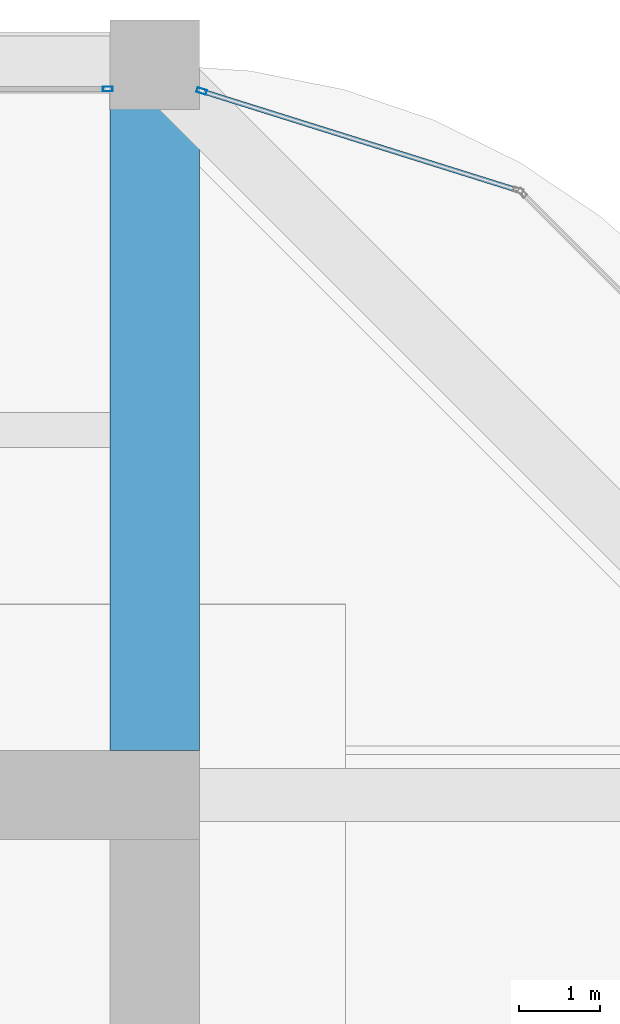
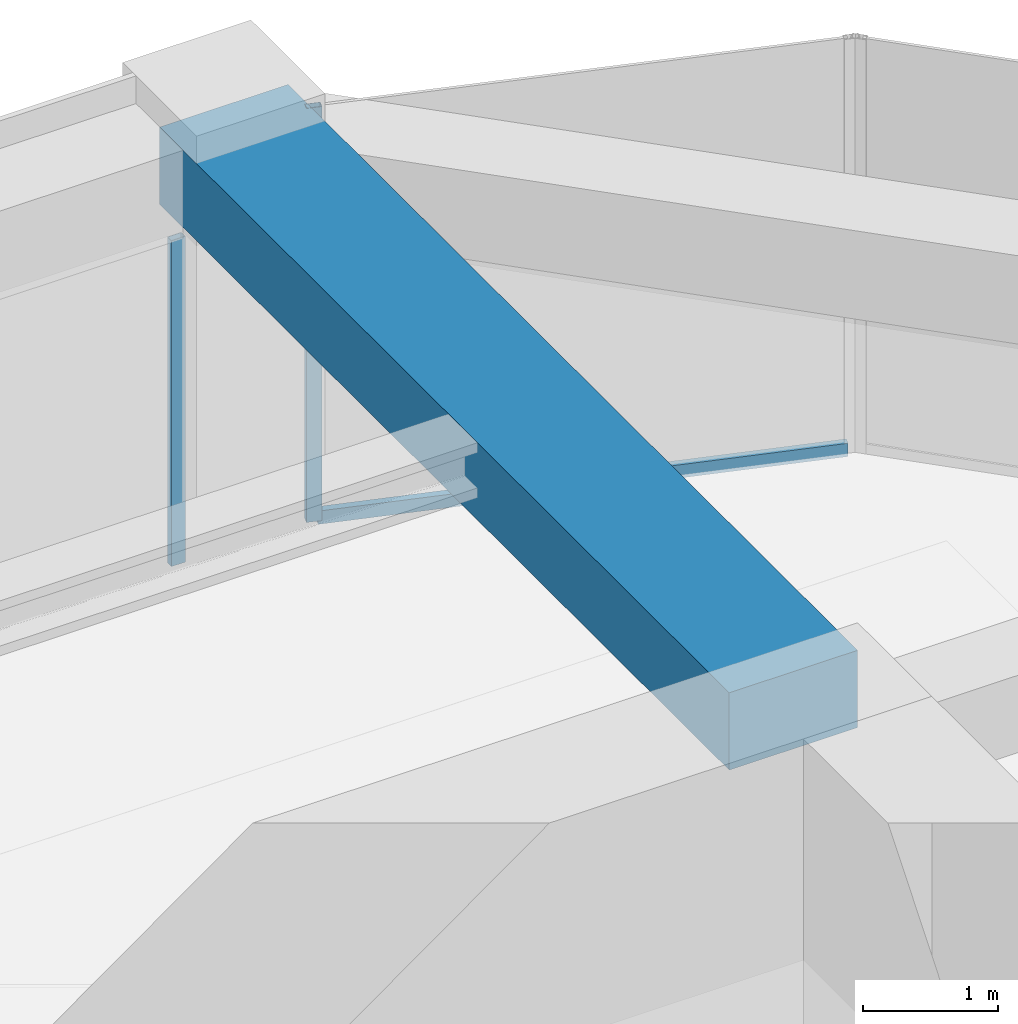
# One storey, part 37 of 44: 3 members, 1 beam, 2 elements without a shape of their own.
"""IFC4 building model written with IfcOpenShell, lengths in metres."""

from ifc_helpers import new_model, si_unit, direction, frame, origin, origin_2d, place, context, subcontext, project, spatial, rectangle, hollow_rectangle, extrude, material, material_profile, profile_set, type_object, element, aggregate, save


model = new_model("IFC4")

# Units and contexts
model_context = context("Model", 3, precision=1e-05, world=origin(), true_north=direction((0.0, 1.0)))
body_context = subcontext(model_context, "Body", "Model", "MODEL_VIEW")
ifc_project = project(units=[si_unit("LENGTHUNIT", "METRE"), si_unit("AREAUNIT", "SQUARE_METRE"), si_unit("VOLUMEUNIT", "CUBIC_METRE"), si_unit("PLANEANGLEUNIT", "RADIAN"), si_unit("MASSUNIT", "GRAM", prefix="KILO")], contexts=[model_context])

# Site, building, storey
site_placement = place(None, origin())
site = spatial("IfcSite", under=ifc_project, at=site_placement, CompositionType="ELEMENT")
building_placement = place(site_placement, origin())
building = spatial("IfcBuilding", under=site, at=building_placement, Name="Zorevar Civic Tower", CompositionType="ELEMENT")
storey_placement = place(building_placement, frame((0.0, 0.0, 287.39990234375)))
storey = spatial("IfcBuildingStorey", under=building, at=storey_placement, Name="L70", CompositionType="ELEMENT", Elevation=287.39990234375)

# Beam
ifc_material_1 = material(Name="Concrete C50/60", Category="concrete")
ifc_material_profile_1 = material_profile(ifc_material_1, rectangle(XDim=1.10009765625, YDim=0.699951171875, at=origin_2d()), Name="RC 1100x700")
ifc_profile_set_1 = profile_set([ifc_material_profile_1], Name="Concrete C50/60")
beam_type = type_object("IfcBeamType", Name="Beam RC 1100x700", PredefinedType="BEAM", material=ifc_profile_set_1)
beam_placement = place(storey_placement, frame((45.0, 36.550048828125, 3.400146484375), z_axis=(0.0, 1.0, 0.0), x_axis=(-1.0, 0.0, 0.0)))
element("IfcBeam", 1, at=beam_placement, inside=storey, type_object=beam_type, Name="Girder L71", PredefinedType="BEAM", context=body_context, shape_type="SweptSolid", body=[
    extrude(rectangle(XDim=1.10009765625, YDim=0.699951171875, at=origin_2d()), origin(), (0.0, 0.0, 1.0), 8.449951171875),
])

# Curtain wall, member
ifc_material_2 = material(Name="Dark grey solar-control glass in black aluminium frame", Category="aluminium")
curtain_wall_type = type_object("IfcCurtainWallType", Name="Curtain wall CW5 top zone", PredefinedType="NOTDEFINED", material=ifc_material_2)
curtain_wall_1_placement = place(storey_placement, origin())
curtain_wall_1 = element("IfcCurtainWall", 2, at=curtain_wall_1_placement, inside=storey, type_object=curtain_wall_type, Name="CW5 L70", PredefinedType="NOTDEFINED")
ifc_material_3 = material(Name="Aluminium, black anodised", Category="aluminium")
ifc_material_profile_2 = material_profile(ifc_material_3, hollow_rectangle(XDim=0.06005859375, YDim=0.1201171875, WallThickness=0.0029296875, at=origin_2d()), Name="AL 120x60x3")
ifc_profile_set_2 = profile_set([ifc_material_profile_2], Name="Aluminium, black anodised")
member_type_1 = type_object("IfcMemberType", Name="CW5 mullion AL 120x60x3", PredefinedType="MULLION", material=ifc_profile_set_2)
member_1_placement = place(storey_placement, frame((44.419921875, 44.699951171875, 0.0), z_axis=(0.0, 0.0, 1.0), x_axis=(0.0, 1.0, 0.0)))
member_1 = element("IfcMember", 3, at=member_1_placement, type_object=member_type_1, Name="CW5 mullion 3", PredefinedType="MULLION", context=body_context, shape_type="SweptSolid", body=[
    extrude(hollow_rectangle(XDim=0.06005859375, YDim=0.1201171875, WallThickness=0.0029296875, at=origin_2d()), origin(), (0.0, 0.0, 1.0), 2.9501953125),
])
aggregate(curtain_wall_1, [member_1])

# Curtain wall, members
curtain_wall_2_placement = place(storey_placement, origin())
curtain_wall_2 = element("IfcCurtainWall", 4, at=curtain_wall_2_placement, inside=storey, type_object=curtain_wall_type, Name="CW5 L70", PredefinedType="NOTDEFINED")
member_2_placement = place(storey_placement, frame((45.57861328125, 44.673583984375, 0.0), z_axis=(0.0, 0.0, 1.0), x_axis=(-0.299317920238, -0.954153437674, 0.0)))
member_2 = element("IfcMember", 5, at=member_2_placement, type_object=member_type_1, Name="CW5 mullion 2", PredefinedType="MULLION", context=body_context, shape_type="SweptSolid", body=[
    extrude(hollow_rectangle(XDim=0.06005859375, YDim=0.1201171875, WallThickness=0.0029296875, at=origin_2d()), origin(), (0.0, 0.0, 1.0), 3.75),
])
ifc_material_4 = material(Name="Aluminium, black anodised", Category="aluminium")
ifc_material_profile_3 = material_profile(ifc_material_4, hollow_rectangle(XDim=0.06005859375, YDim=0.1201171875, WallThickness=0.0029296875, at=origin_2d()), Name="AL 120x60x3")
ifc_profile_set_3 = profile_set([ifc_material_profile_3], Name="Aluminium, black anodised")
member_type_2 = type_object("IfcMemberType", Name="CW5 transom AL 120x60x3", PredefinedType="USERDEFINED", material=ifc_profile_set_3)
member_3_placement = place(storey_placement, frame((49.45068359375, 43.458984375, 0.030029296875), z_axis=(-0.954163457351, 0.299285978047, 0.0), x_axis=(-0.299285978047, -0.954163457351, 0.0)))
member_3 = element("IfcMember", 6, at=member_3_placement, type_object=member_type_2, Name="CW5 sill transom", ObjectType="TRANSOM", PredefinedType="USERDEFINED", context=body_context, shape_type="SweptSolid", body=[
    extrude(hollow_rectangle(XDim=0.06005859375, YDim=0.1201171875, WallThickness=0.0029296875, at=origin_2d()), origin(), (0.0, 0.0, 1.0), 4.028076171875),
])
aggregate(curtain_wall_2, [member_2, member_3])

save(model, "model.ifc")
